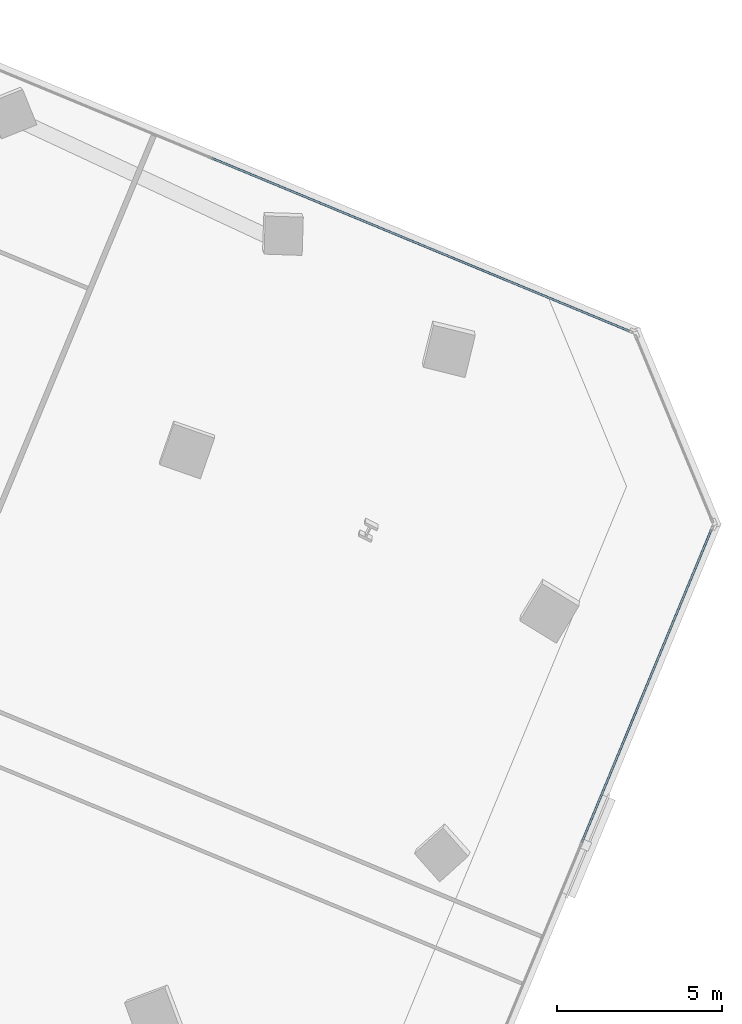
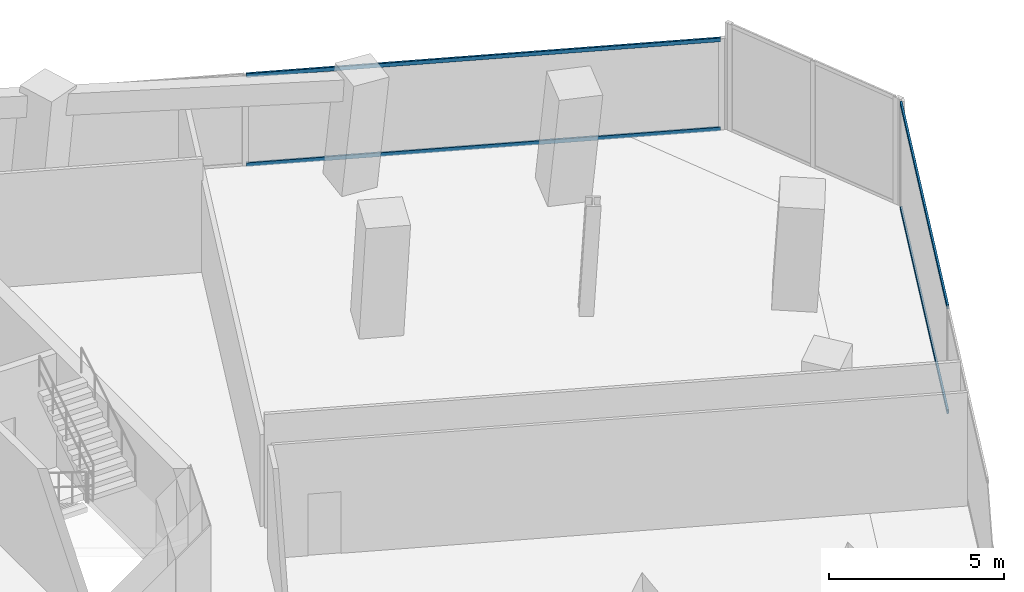
# One storey, part 8 of 22: 4 members, 2 elements without a shape of their own.
"""IFC4 building model written with IfcOpenShell, lengths in metres."""

from ifc_helpers import new_model, si_unit, direction, frame, origin, origin_2d, place, context, subcontext, project, spatial, hollow_rectangle, extrude, source, transform, mapped, material, material_profile, profile_set, type_object, element, aggregate, save


model = new_model("IFC4")

# Units and contexts
model_context = context("Model", 3, precision=1e-05, world=origin(), true_north=direction((0.0, 1.0)))
body_context = subcontext(model_context, "Body", "Model", "MODEL_VIEW")
ifc_project = project(units=[si_unit("LENGTHUNIT", "METRE"), si_unit("AREAUNIT", "SQUARE_METRE"), si_unit("VOLUMEUNIT", "CUBIC_METRE"), si_unit("PLANEANGLEUNIT", "RADIAN"), si_unit("MASSUNIT", "GRAM", prefix="KILO")], contexts=[model_context])

# Site, building, storey
site_placement = place(None, origin())
site = spatial("IfcSite", under=ifc_project, at=site_placement, CompositionType="ELEMENT")
building_placement = place(site_placement, origin())
building = spatial("IfcBuilding", under=site, at=building_placement, Name="Torre Montelarca", CompositionType="ELEMENT")
storey_placement = place(building_placement, frame((0.0, 0.0, 149.800048828125)))
storey = spatial("IfcBuildingStorey", under=building, at=storey_placement, Name="L33", CompositionType="ELEMENT", Elevation=149.800048828125)

# Curtain wall, members
ifc_material_1 = material(Name="Insulated low-E laminated glass", Category="glass")
curtain_wall_type = type_object("IfcCurtainWallType", Name="CW-SYS-Z2", PredefinedType="USERDEFINED", material=ifc_material_1)
curtain_wall_1_placement = place(storey_placement, origin())
curtain_wall_1 = element("IfcCurtainWall", 1, at=curtain_wall_1_placement, inside=storey, type_object=curtain_wall_type, Name="L33 Curtain Wall Run CW-T3-L33-E06-B1", ObjectType="UNITISED GLAZING", PredefinedType="USERDEFINED")
ifc_material_2 = material(Name="Anodised aluminium AA 6063-T6", Category="aluminium")
ifc_material_profile = material_profile(ifc_material_2, hollow_rectangle(XDim=0.06494140625, YDim=0.139892578125, WallThickness=0.00390625, InnerFilletRadius=0.00390625, OuterFilletRadius=0.008056640625, at=origin_2d()), Name="ALU65X140X4", Category="aluminium")
ifc_profile_set = profile_set([ifc_material_profile], Name="Anodised aluminium AA 6063-T6")
member_type = type_object("IfcMemberType", Name="CWT-ALU140", PredefinedType="USERDEFINED", material=ifc_profile_set)
shared_shape_1 = source(origin(), body_context, "Body", "SweptSolid", [
    extrude(hollow_rectangle(XDim=0.06494140625, YDim=0.139892578125, WallThickness=0.00390625, InnerFilletRadius=0.00390625, OuterFilletRadius=0.008056640625, at=origin_2d()), origin(), (0.0, 0.0, 1.0), 10.236328125),
])
member_1_placement = place(storey_placement, frame((49.9375, 21.554931640625, 0.032470703125), z_axis=(0.382675477391, 0.923882827529, 0.0), x_axis=(-0.923882827529, 0.382675477391, 0.0)))
member_1 = element("IfcMember", 2, at=member_1_placement, type_object=member_type, Name="CW transom 2.1", ObjectType="TRANSOM", PredefinedType="USERDEFINED", context=body_context, shape_type="MappedRepresentation", body=[
    mapped(shared_shape_1, transform((0.0, 0.0, 0.0), scale=1.0)),
])
member_2_placement = place(storey_placement, frame((49.9375, 21.554931640625, 3.6875), z_axis=(0.382675477391, 0.923882827529, 0.0), x_axis=(-0.923882827529, 0.382675477391, 0.0)))
member_2 = element("IfcMember", 3, at=member_2_placement, type_object=member_type, Name="CW transom 2.2", ObjectType="TRANSOM", PredefinedType="USERDEFINED", context=body_context, shape_type="MappedRepresentation", body=[
    mapped(shared_shape_1, transform((0.0, 0.0, 0.0), scale=1.0)),
])
aggregate(curtain_wall_1, [member_1, member_2])

curtain_wall_2_placement = place(storey_placement, origin())
curtain_wall_2 = element("IfcCurtainWall", 4, at=curtain_wall_2_placement, inside=storey, type_object=curtain_wall_type, Name="L33 Curtain Wall Run CW-T3-L33-E08-B1", ObjectType="UNITISED GLAZING", PredefinedType="USERDEFINED")
shared_shape_2 = source(origin(), body_context, "Body", "SweptSolid", [
    extrude(hollow_rectangle(XDim=0.06494140625, YDim=0.139892578125, WallThickness=0.00390625, InnerFilletRadius=0.00390625, OuterFilletRadius=0.008056640625, at=origin_2d()), origin(), (0.0, 0.0, 1.0), 13.659912109375),
])
member_3_placement = place(storey_placement, frame((51.364990234375, 37.023681640625, 0.032470703125), z_axis=(-0.923882865537, 0.38267538563, 0.0), x_axis=(-0.38267538563, -0.923882865537, 0.0)))
member_3 = element("IfcMember", 5, at=member_3_placement, type_object=member_type, Name="CW transom 1.1", ObjectType="TRANSOM", PredefinedType="USERDEFINED", context=body_context, shape_type="MappedRepresentation", body=[
    mapped(shared_shape_2, transform((0.0, 0.0, 0.0), scale=1.0)),
])
member_4_placement = place(storey_placement, frame((51.364990234375, 37.023681640625, 3.142333984375), z_axis=(-0.923882865537, 0.38267538563, 0.0), x_axis=(-0.38267538563, -0.923882865537, 0.0)))
member_4 = element("IfcMember", 6, at=member_4_placement, type_object=member_type, Name="CW transom 1.2", ObjectType="TRANSOM", PredefinedType="USERDEFINED", context=body_context, shape_type="MappedRepresentation", body=[
    mapped(shared_shape_2, transform((0.0, 0.0, 0.0), scale=1.0)),
])
aggregate(curtain_wall_2, [member_3, member_4])

save(model, "model.ifc")
